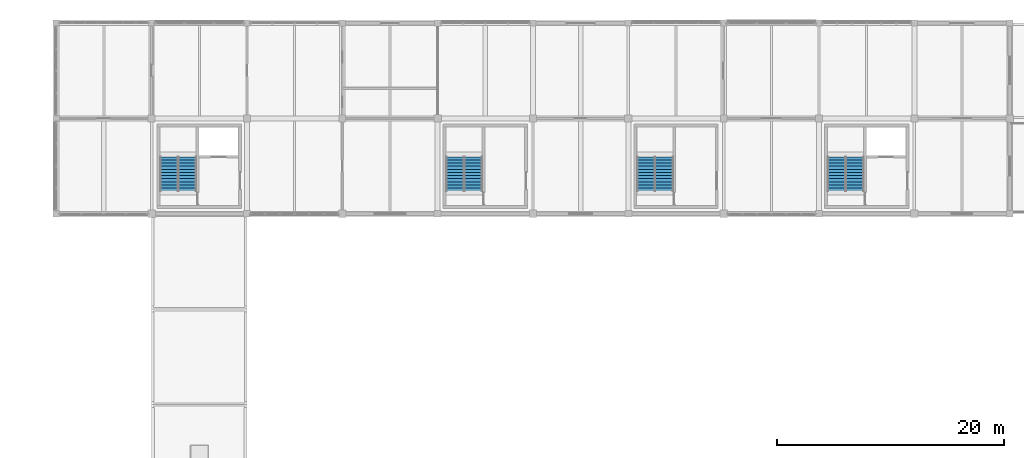
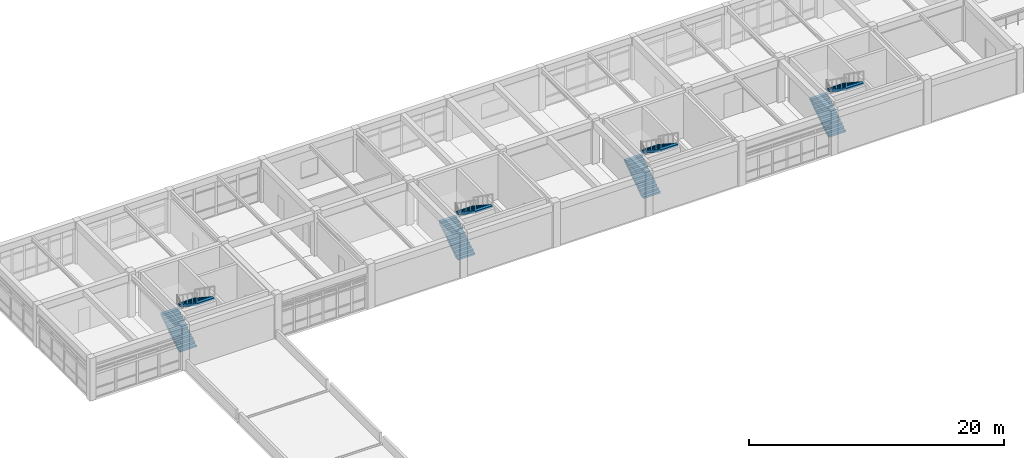
# One storey, part 17 of 18: 8 stair flights, 4 elements without a shape of their own.
"""IFC4 building model written with IfcOpenShell, lengths in metres."""

from ifc_helpers import new_model, si_unit, direction, frame, origin, place, context, subcontext, project, spatial, polyline, outline, extrude, material, layer, layer_set, type_object, element, aggregate, save


model = new_model("IFC4")

# Units and contexts
model_context = context("Model", 3, precision=1e-05, world=origin(), true_north=direction((0.0, 1.0)))
body_context = subcontext(model_context, "Body", "Model", "MODEL_VIEW")
ifc_project = project(units=[si_unit("LENGTHUNIT", "METRE"), si_unit("AREAUNIT", "SQUARE_METRE"), si_unit("VOLUMEUNIT", "CUBIC_METRE"), si_unit("PLANEANGLEUNIT", "RADIAN"), si_unit("MASSUNIT", "GRAM", prefix="KILO")], contexts=[model_context])

# Site, building, storey
site_placement = place(None, origin())
site = spatial("IfcSite", under=ifc_project, at=site_placement, CompositionType="ELEMENT")
building_placement = place(site_placement, origin())
building = spatial("IfcBuilding", under=site, at=building_placement, Name="Porcellanite Civic Hall", CompositionType="ELEMENT")
storey_placement = place(building_placement, frame((0.0, 0.0, 23.39990234375)))
storey = spatial("IfcBuildingStorey", under=building, at=storey_placement, Name="L05", CompositionType="ELEMENT", Elevation=23.39990234375)

# Stair, stair flights
ifc_material_1 = material(Name="Concrete N40 (40 MPa)", Category="concrete")
stair_type = type_object("IfcStairType", Name="STR-HT24", PredefinedType="HALF_TURN_STAIR", material=ifc_material_1)
stair_1_placement = place(storey_placement, origin())
stair_1 = element("IfcStair", 1, at=stair_1_placement, inside=storey, type_object=stair_type, Name="Fire stair ST-03 L05", PredefinedType="HALF_TURN_STAIR")
ifc_material_2 = material(Name="Concrete N40 (40 MPa)", Category="concrete")
ifc_layer = layer(ifc_material_2, 0.199951171875)
ifc_layer_set = layer_set([ifc_layer], Name="Concrete N40 (40 MPa)")
stair_flight_type = type_object("IfcStairFlightType", Name="FLT-154C", PredefinedType="STRAIGHT", material=ifc_layer_set)
stair_flight_1_placement = place(storey_placement, frame((51.9599609375, 102.800048828125, 0.0), z_axis=(0.0, 0.0, 1.0), x_axis=(0.0, 1.0, 0.0)))
stair_flight_1 = element("IfcStairFlight", 2, at=stair_flight_1_placement, type_object=stair_flight_type, Name="ST-03 flight 1", NumberOfRisers=12, NumberOfTreads=11, PredefinedType="STRAIGHT", RiserHeight=0.18, TreadLength=0.275, context=body_context, shape_type="SweptSolid", body=[
    extrude(outline(polyline([(0.0, 0.0), (0.0, 0.179931640625), (0.27490234375, 0.179931640625), (0.27490234375, 0.360107421875), (0.550048828125, 0.360107421875), (0.550048828125, 0.5400390625), (0.824951171875, 0.5400390625), (0.824951171875, 0.719970703125), (1.10009765625, 0.719970703125), (1.10009765625, 0.89990234375), (1.375, 0.89990234375), (1.375, 1.080078125), (1.64990234375, 1.080078125), (1.64990234375, 1.260009765625), (1.925048828125, 1.260009765625), (1.925048828125, 1.43994140625), (2.199951171875, 1.43994140625), (2.199951171875, 1.6201171875), (2.47509765625, 1.6201171875), (2.47509765625, 1.800048828125), (2.75, 1.800048828125), (2.75, 1.97998046875), (3.02490234375, 1.97998046875), (3.02490234375, 2.159912109375), (3.02490234375, 1.764892578125), (0.32861328125, 0.0), (0.0, 0.0)])), frame((0.0, 0.77001953125, 0.0), z_axis=(0.0, -1.0, 0.0), x_axis=(1.0, 0.0, 0.0)), (0.0, 0.0, 1.0), 1.5400390625),
])
stair_flight_2_placement = place(storey_placement, frame((53.5400390625, 105.824951171875, 2.16015625), z_axis=(0.0, 0.0, 1.0), x_axis=(0.0, -1.0, 0.0)))
stair_flight_2 = element("IfcStairFlight", 3, at=stair_flight_2_placement, type_object=stair_flight_type, Name="ST-03 flight 2", NumberOfRisers=12, NumberOfTreads=11, PredefinedType="STRAIGHT", RiserHeight=0.18, TreadLength=0.275, context=body_context, shape_type="SweptSolid", body=[
    extrude(outline(polyline([(0.0, 0.0), (0.0, 0.179931640625), (0.27490234375, 0.179931640625), (0.27490234375, 0.360107421875), (0.550048828125, 0.360107421875), (0.550048828125, 0.5400390625), (0.824951171875, 0.5400390625), (0.824951171875, 0.719970703125), (1.10009765625, 0.719970703125), (1.10009765625, 0.89990234375), (1.375, 0.89990234375), (1.375, 1.080078125), (1.64990234375, 1.080078125), (1.64990234375, 1.260009765625), (1.925048828125, 1.260009765625), (1.925048828125, 1.43994140625), (2.199951171875, 1.43994140625), (2.199951171875, 1.6201171875), (2.47509765625, 1.6201171875), (2.47509765625, 1.800048828125), (2.75, 1.800048828125), (2.75, 1.97998046875), (3.02490234375, 1.97998046875), (3.02490234375, 2.159912109375), (3.02490234375, 1.764892578125), (0.32861328125, 0.0), (0.0, 0.0)])), frame((0.0, 0.77001953125, 0.0), z_axis=(0.0, -1.0, 0.0), x_axis=(1.0, 0.0, 0.0)), (0.0, 0.0, 1.0), 1.5400390625),
])
aggregate(stair_1, [stair_flight_1, stair_flight_2])

stair_2_placement = place(storey_placement, origin())
stair_2 = element("IfcStair", 4, at=stair_2_placement, inside=storey, type_object=stair_type, Name="Fire stair ST-04 L05", PredefinedType="HALF_TURN_STAIR")
stair_flight_3_placement = place(storey_placement, frame((110.760009765625, 102.800048828125, 0.0), z_axis=(0.0, 0.0, 1.0), x_axis=(0.0, 1.0, 0.0)))
stair_flight_3 = element("IfcStairFlight", 5, at=stair_flight_3_placement, type_object=stair_flight_type, Name="ST-04 flight 1", NumberOfRisers=12, NumberOfTreads=11, PredefinedType="STRAIGHT", RiserHeight=0.18, TreadLength=0.275, context=body_context, shape_type="SweptSolid", body=[
    extrude(outline(polyline([(0.0, 0.0), (0.0, 0.179931640625), (0.27490234375, 0.179931640625), (0.27490234375, 0.360107421875), (0.550048828125, 0.360107421875), (0.550048828125, 0.5400390625), (0.824951171875, 0.5400390625), (0.824951171875, 0.719970703125), (1.10009765625, 0.719970703125), (1.10009765625, 0.89990234375), (1.375, 0.89990234375), (1.375, 1.080078125), (1.64990234375, 1.080078125), (1.64990234375, 1.260009765625), (1.925048828125, 1.260009765625), (1.925048828125, 1.43994140625), (2.199951171875, 1.43994140625), (2.199951171875, 1.6201171875), (2.47509765625, 1.6201171875), (2.47509765625, 1.800048828125), (2.75, 1.800048828125), (2.75, 1.97998046875), (3.02490234375, 1.97998046875), (3.02490234375, 2.159912109375), (3.02490234375, 1.764892578125), (0.32861328125, 0.0), (0.0, 0.0)])), frame((0.0, 0.77001953125, 0.0), z_axis=(0.0, -1.0, 0.0), x_axis=(1.0, 0.0, 0.0)), (0.0, 0.0, 1.0), 1.5400390625),
])
stair_flight_4_placement = place(storey_placement, frame((112.340087890625, 105.824951171875, 2.16015625), z_axis=(0.0, 0.0, 1.0), x_axis=(0.0, -1.0, 0.0)))
stair_flight_4 = element("IfcStairFlight", 6, at=stair_flight_4_placement, type_object=stair_flight_type, Name="ST-04 flight 2", NumberOfRisers=12, NumberOfTreads=11, PredefinedType="STRAIGHT", RiserHeight=0.18, TreadLength=0.275, context=body_context, shape_type="SweptSolid", body=[
    extrude(outline(polyline([(0.0, 0.0), (0.0, 0.179931640625), (0.27490234375, 0.179931640625), (0.27490234375, 0.360107421875), (0.550048828125, 0.360107421875), (0.550048828125, 0.5400390625), (0.824951171875, 0.5400390625), (0.824951171875, 0.719970703125), (1.10009765625, 0.719970703125), (1.10009765625, 0.89990234375), (1.375, 0.89990234375), (1.375, 1.080078125), (1.64990234375, 1.080078125), (1.64990234375, 1.260009765625), (1.925048828125, 1.260009765625), (1.925048828125, 1.43994140625), (2.199951171875, 1.43994140625), (2.199951171875, 1.6201171875), (2.47509765625, 1.6201171875), (2.47509765625, 1.800048828125), (2.75, 1.800048828125), (2.75, 1.97998046875), (3.02490234375, 1.97998046875), (3.02490234375, 2.159912109375), (3.02490234375, 1.764892578125), (0.32861328125, 0.0), (0.0, 0.0)])), frame((0.0, 0.77001953125, 0.0), z_axis=(0.0, -1.0, 0.0), x_axis=(1.0, 0.0, 0.0)), (0.0, 0.0, 1.0), 1.5400390625),
])
aggregate(stair_2, [stair_flight_3, stair_flight_4])

stair_3_placement = place(storey_placement, origin())
stair_3 = element("IfcStair", 7, at=stair_3_placement, inside=storey, type_object=stair_type, Name="Fire stair ST-09 L05", PredefinedType="HALF_TURN_STAIR")
stair_flight_5_placement = place(storey_placement, frame((77.159912109375, 102.800048828125, 0.0), z_axis=(0.0, 0.0, 1.0), x_axis=(0.0, 1.0, 0.0)))
stair_flight_5 = element("IfcStairFlight", 8, at=stair_flight_5_placement, type_object=stair_flight_type, Name="ST-09 flight 1", NumberOfRisers=12, NumberOfTreads=11, PredefinedType="STRAIGHT", RiserHeight=0.18, TreadLength=0.275, context=body_context, shape_type="SweptSolid", body=[
    extrude(outline(polyline([(0.0, 0.0), (0.0, 0.179931640625), (0.27490234375, 0.179931640625), (0.27490234375, 0.360107421875), (0.550048828125, 0.360107421875), (0.550048828125, 0.5400390625), (0.824951171875, 0.5400390625), (0.824951171875, 0.719970703125), (1.10009765625, 0.719970703125), (1.10009765625, 0.89990234375), (1.375, 0.89990234375), (1.375, 1.080078125), (1.64990234375, 1.080078125), (1.64990234375, 1.260009765625), (1.925048828125, 1.260009765625), (1.925048828125, 1.43994140625), (2.199951171875, 1.43994140625), (2.199951171875, 1.6201171875), (2.47509765625, 1.6201171875), (2.47509765625, 1.800048828125), (2.75, 1.800048828125), (2.75, 1.97998046875), (3.02490234375, 1.97998046875), (3.02490234375, 2.159912109375), (3.02490234375, 1.764892578125), (0.32861328125, 0.0), (0.0, 0.0)])), frame((0.0, 0.77001953125, 0.0), z_axis=(0.0, -1.0, 0.0), x_axis=(1.0, 0.0, 0.0)), (0.0, 0.0, 1.0), 1.5400390625),
])
stair_flight_6_placement = place(storey_placement, frame((78.739990234375, 105.824951171875, 2.16015625), z_axis=(0.0, 0.0, 1.0), x_axis=(0.0, -1.0, 0.0)))
stair_flight_6 = element("IfcStairFlight", 9, at=stair_flight_6_placement, type_object=stair_flight_type, Name="ST-09 flight 2", NumberOfRisers=12, NumberOfTreads=11, PredefinedType="STRAIGHT", RiserHeight=0.18, TreadLength=0.275, context=body_context, shape_type="SweptSolid", body=[
    extrude(outline(polyline([(0.0, 0.0), (0.0, 0.179931640625), (0.27490234375, 0.179931640625), (0.27490234375, 0.360107421875), (0.550048828125, 0.360107421875), (0.550048828125, 0.5400390625), (0.824951171875, 0.5400390625), (0.824951171875, 0.719970703125), (1.10009765625, 0.719970703125), (1.10009765625, 0.89990234375), (1.375, 0.89990234375), (1.375, 1.080078125), (1.64990234375, 1.080078125), (1.64990234375, 1.260009765625), (1.925048828125, 1.260009765625), (1.925048828125, 1.43994140625), (2.199951171875, 1.43994140625), (2.199951171875, 1.6201171875), (2.47509765625, 1.6201171875), (2.47509765625, 1.800048828125), (2.75, 1.800048828125), (2.75, 1.97998046875), (3.02490234375, 1.97998046875), (3.02490234375, 2.159912109375), (3.02490234375, 1.764892578125), (0.32861328125, 0.0), (0.0, 0.0)])), frame((0.0, 0.77001953125, 0.0), z_axis=(0.0, -1.0, 0.0), x_axis=(1.0, 0.0, 0.0)), (0.0, 0.0, 1.0), 1.5400390625),
])
aggregate(stair_3, [stair_flight_5, stair_flight_6])

stair_4_placement = place(storey_placement, origin())
stair_4 = element("IfcStair", 10, at=stair_4_placement, inside=storey, type_object=stair_type, Name="Fire stair ST-10 L05", PredefinedType="HALF_TURN_STAIR")
stair_flight_7_placement = place(storey_placement, frame((93.9599609375, 102.800048828125, 0.0), z_axis=(0.0, 0.0, 1.0), x_axis=(0.0, 1.0, 0.0)))
stair_flight_7 = element("IfcStairFlight", 11, at=stair_flight_7_placement, type_object=stair_flight_type, Name="ST-10 flight 1", NumberOfRisers=12, NumberOfTreads=11, PredefinedType="STRAIGHT", RiserHeight=0.18, TreadLength=0.275, context=body_context, shape_type="SweptSolid", body=[
    extrude(outline(polyline([(0.0, 0.0), (0.0, 0.179931640625), (0.27490234375, 0.179931640625), (0.27490234375, 0.360107421875), (0.550048828125, 0.360107421875), (0.550048828125, 0.5400390625), (0.824951171875, 0.5400390625), (0.824951171875, 0.719970703125), (1.10009765625, 0.719970703125), (1.10009765625, 0.89990234375), (1.375, 0.89990234375), (1.375, 1.080078125), (1.64990234375, 1.080078125), (1.64990234375, 1.260009765625), (1.925048828125, 1.260009765625), (1.925048828125, 1.43994140625), (2.199951171875, 1.43994140625), (2.199951171875, 1.6201171875), (2.47509765625, 1.6201171875), (2.47509765625, 1.800048828125), (2.75, 1.800048828125), (2.75, 1.97998046875), (3.02490234375, 1.97998046875), (3.02490234375, 2.159912109375), (3.02490234375, 1.764892578125), (0.32861328125, 0.0), (0.0, 0.0)])), frame((0.0, 0.77001953125, 0.0), z_axis=(0.0, -1.0, 0.0), x_axis=(1.0, 0.0, 0.0)), (0.0, 0.0, 1.0), 1.5400390625),
])
stair_flight_8_placement = place(storey_placement, frame((95.5400390625, 105.824951171875, 2.16015625), z_axis=(0.0, 0.0, 1.0), x_axis=(0.0, -1.0, 0.0)))
stair_flight_8 = element("IfcStairFlight", 12, at=stair_flight_8_placement, type_object=stair_flight_type, Name="ST-10 flight 2", NumberOfRisers=12, NumberOfTreads=11, PredefinedType="STRAIGHT", RiserHeight=0.18, TreadLength=0.275, context=body_context, shape_type="SweptSolid", body=[
    extrude(outline(polyline([(0.0, 0.0), (0.0, 0.179931640625), (0.27490234375, 0.179931640625), (0.27490234375, 0.360107421875), (0.550048828125, 0.360107421875), (0.550048828125, 0.5400390625), (0.824951171875, 0.5400390625), (0.824951171875, 0.719970703125), (1.10009765625, 0.719970703125), (1.10009765625, 0.89990234375), (1.375, 0.89990234375), (1.375, 1.080078125), (1.64990234375, 1.080078125), (1.64990234375, 1.260009765625), (1.925048828125, 1.260009765625), (1.925048828125, 1.43994140625), (2.199951171875, 1.43994140625), (2.199951171875, 1.6201171875), (2.47509765625, 1.6201171875), (2.47509765625, 1.800048828125), (2.75, 1.800048828125), (2.75, 1.97998046875), (3.02490234375, 1.97998046875), (3.02490234375, 2.159912109375), (3.02490234375, 1.764892578125), (0.32861328125, 0.0), (0.0, 0.0)])), frame((0.0, 0.77001953125, 0.0), z_axis=(0.0, -1.0, 0.0), x_axis=(1.0, 0.0, 0.0)), (0.0, 0.0, 1.0), 1.5400390625),
])
aggregate(stair_4, [stair_flight_7, stair_flight_8])

save(model, "model.ifc")
